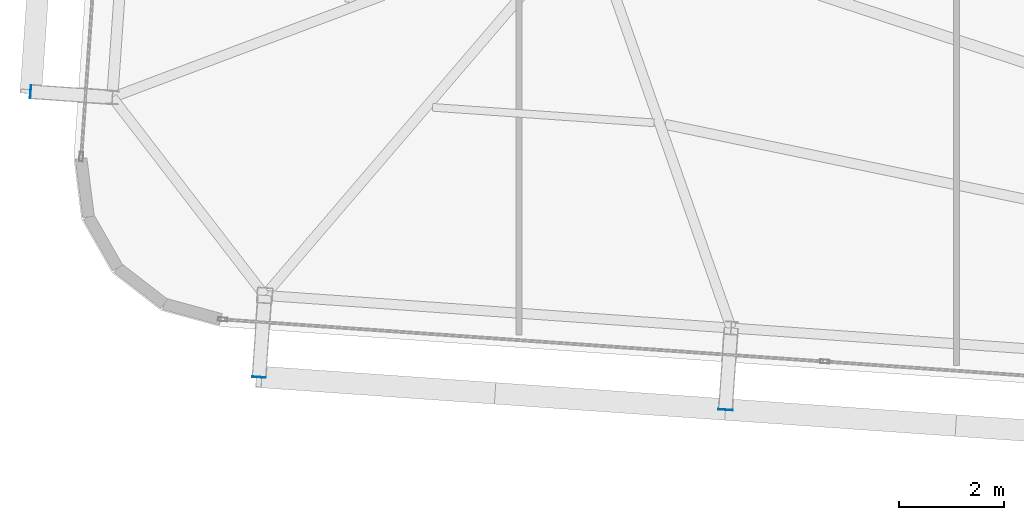
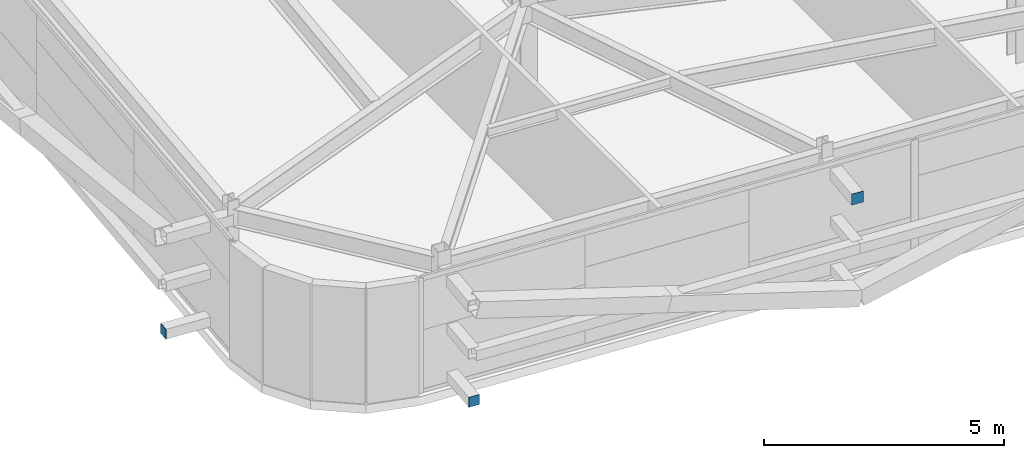
# One storey, part 27 of 39: 3 plates.
"""IFC4 building model written with IfcOpenShell, lengths in metres."""

from ifc_helpers import new_model, si_unit, direction, frame, origin, origin_2d, place, context, subcontext, project, spatial, rectangle, extrude, source, transform, mapped, material, layer, layer_set, type_object, element, save


model = new_model("IFC4")

# Units and contexts
model_context = context("Model", 3, precision=1e-05, world=origin(), true_north=direction((0.0, 1.0)))
body_context = subcontext(model_context, "Body", "Model", "MODEL_VIEW")
ifc_project = project(units=[si_unit("LENGTHUNIT", "METRE"), si_unit("AREAUNIT", "SQUARE_METRE"), si_unit("VOLUMEUNIT", "CUBIC_METRE"), si_unit("PLANEANGLEUNIT", "RADIAN"), si_unit("MASSUNIT", "GRAM", prefix="KILO")], contexts=[model_context])

# Site, building, storey
site_placement = place(None, origin())
site = spatial("IfcSite", under=ifc_project, at=site_placement, CompositionType="ELEMENT")
building_placement = place(site_placement, origin())
building = spatial("IfcBuilding", under=site, at=building_placement, Name="Taldren Reach Tower", CompositionType="ELEMENT")
storey_placement = place(building_placement, frame((0.0, 0.0, 148.75)))
storey = spatial("IfcBuildingStorey", under=building, at=storey_placement, Name="L45", CompositionType="ELEMENT", Elevation=148.75)

# Plates
ifc_material_1 = material(Name="Steel Gr 450 (C450L0)", Category="steel")
ifc_layer_1 = layer(ifc_material_1, 0.011962890625)
ifc_layer_set_1 = layer_set([ifc_layer_1], Name="Steel Gr 450 (C450L0)")
plate_type_1 = type_object("IfcPlateType", Name="PL-CAP-275", PredefinedType="SHEET", material=ifc_layer_set_1)
shared_shape_1 = source(origin(), body_context, "Body", "SweptSolid", [
    extrude(rectangle(XDim=0.27490234375, YDim=0.011962890625, at=origin_2d()), origin(), (0.0, 0.0, 1.0), 0.27490234375),
])
plate_1_placement = place(storey_placement, frame((20.61328125, 3.166748046875, 2.512451171875), z_axis=(0.0, 0.0, 1.0), x_axis=(0.99756405026, -0.069756473744, 0.0)))
element("IfcPlate", 1, at=plate_1_placement, inside=storey, type_object=plate_type_1, Name="Tie strut end cap plate B3-S2 L45", PredefinedType="SHEET", context=body_context, shape_type="MappedRepresentation", body=[
    mapped(shared_shape_1, transform((0.0, 0.0, 0.0), scale=1.0)),
])
ifc_material_2 = material(Name="Steel Gr 350 (C350L0)", Category="steel")
ifc_layer_2 = layer(ifc_material_2, 0.011962890625)
ifc_layer_set_2 = layer_set([ifc_layer_2], Name="Steel Gr 350 (C350L0)")
plate_type_2 = type_object("IfcPlateType", Name="PL-CAP-250", PredefinedType="SHEET", material=ifc_layer_set_2)
shared_shape_2 = source(origin(), body_context, "Body", "SweptSolid", [
    extrude(rectangle(XDim=0.25, YDim=0.011962890625, at=origin_2d()), origin(), (0.0, 0.0, 1.0), 0.25),
])
plate_2_placement = place(storey_placement, frame((11.755126953125, 3.7861328125, 0.094970703125), z_axis=(0.0, 0.0, 1.0), x_axis=(0.99756405026, -0.069756473744, 0.0)))
element("IfcPlate", 2, at=plate_2_placement, inside=storey, type_object=plate_type_2, Name="Tie strut end cap plate B3-S1 L45", PredefinedType="SHEET", context=body_context, shape_type="MappedRepresentation", body=[
    mapped(shared_shape_2, transform((0.0, 0.0, 0.0), scale=1.0)),
])
shared_shape_3 = source(origin(), body_context, "Body", "SweptSolid", [
    extrude(rectangle(XDim=0.011962890625, YDim=0.25, at=origin_2d()), origin(), (0.0, 0.0, 1.0), 0.25),
])
plate_3_placement = place(storey_placement, frame((7.416748046875, 9.2080078125, 0.094970703125), z_axis=(0.0, 0.0, 1.0), x_axis=(0.99756405026, -0.069756473744, 0.0)))
element("IfcPlate", 3, at=plate_3_placement, inside=storey, type_object=plate_type_2, Name="Tie strut end cap plate B3-W1 L45", PredefinedType="SHEET", context=body_context, shape_type="MappedRepresentation", body=[
    mapped(shared_shape_3, transform((0.0, 0.0, 0.0), scale=1.0)),
])

save(model, "model.ifc")
